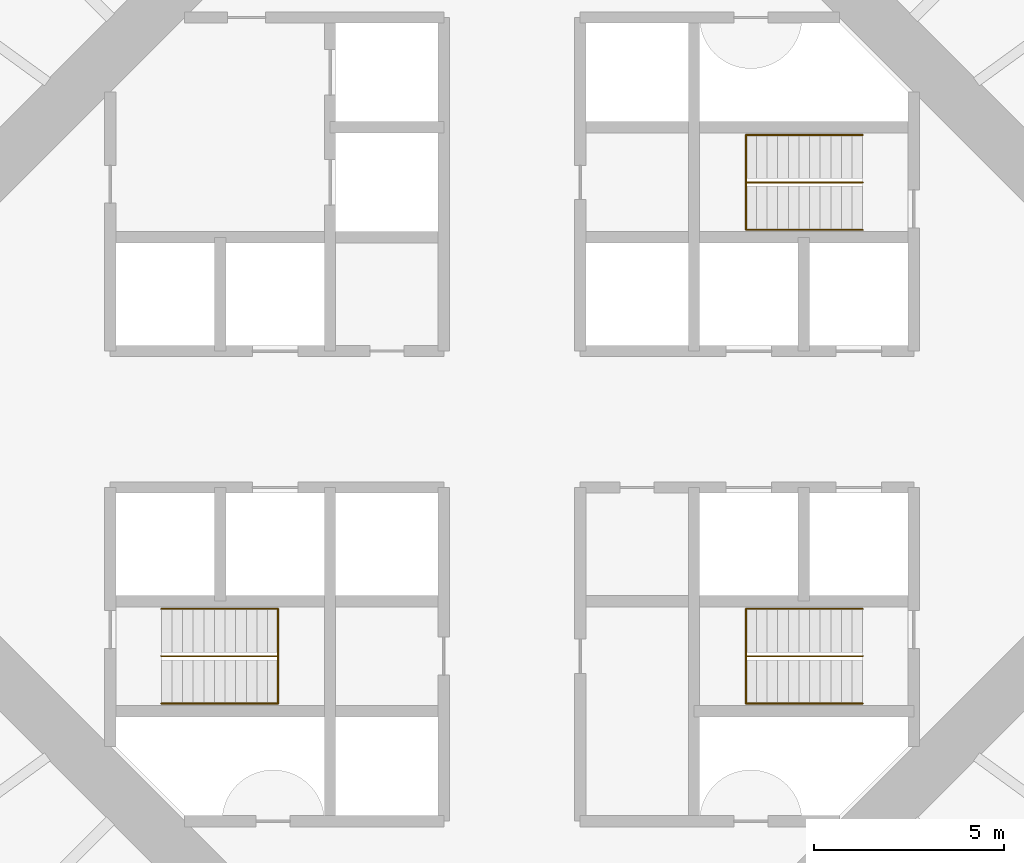
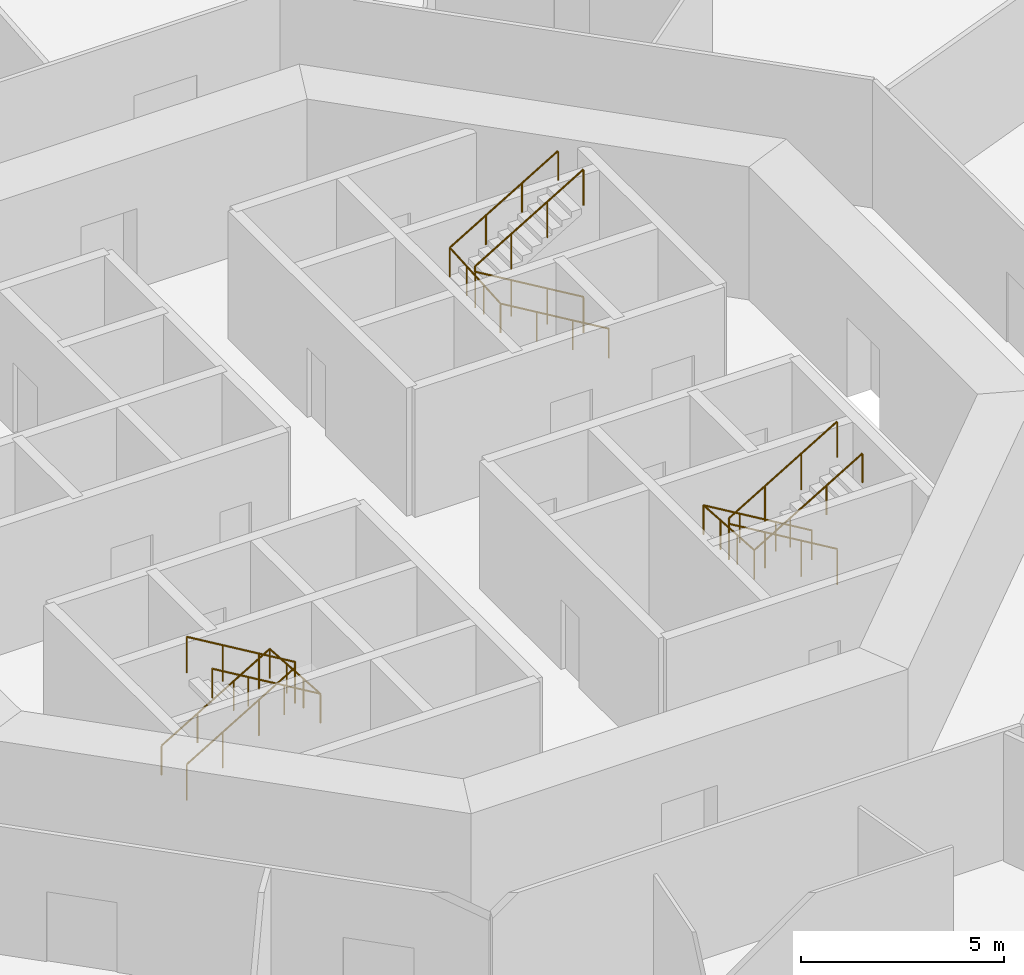
# One storey, part 13 of 13: 6 railings.
"""IFC4 building model written with IfcOpenShell, lengths in metres."""

from ifc_helpers import new_model, si_unit, direction, frame, origin, origin_2d, place, context, subcontext, project, spatial, circle, extrude, material, type_object, element, save


model = new_model("IFC4")

# Units and contexts
model_context = context("Model", 3, precision=1e-05, world=origin(), true_north=direction((0.0, 1.0)))
body_context = subcontext(model_context, "Body", "Model", "MODEL_VIEW")
ifc_project = project(units=[si_unit("LENGTHUNIT", "METRE"), si_unit("AREAUNIT", "SQUARE_METRE"), si_unit("VOLUMEUNIT", "CUBIC_METRE"), si_unit("PLANEANGLEUNIT", "RADIAN"), si_unit("MASSUNIT", "GRAM", prefix="KILO")], contexts=[model_context])

# Site, building, storey
site_placement = place(None, origin())
site = spatial("IfcSite", under=ifc_project, at=site_placement, CompositionType="ELEMENT")
building_placement = place(site_placement, origin())
building = spatial("IfcBuilding", under=site, at=building_placement, Name="Entoto Ring Tower", CompositionType="ELEMENT")
storey_placement = place(building_placement, frame((0.0, 0.0, 62.0)))
storey = spatial("IfcBuildingStorey", under=building, at=storey_placement, Name="L13", CompositionType="ELEMENT", Elevation=62.0)

# Railings
ifc_material_1 = material(Name="Steel S275", Category="steel")
railing_type_1 = type_object("IfcRailingType", Name="Stair guard 1100 mm steel", PredefinedType="GUARDRAIL", material=ifc_material_1)
railing_1_placement = place(storey_placement, frame((99.25, 86.25, 0.166748046875)))
element("IfcRailing", 1, at=railing_1_placement, inside=storey, type_object=railing_type_1, Name="Guard ST1", PredefinedType="GUARDRAIL", context=body_context, shape_type="SweptSolid", body=[
    extrude(circle(Radius=0.02392578125, at=origin_2d()), frame((0.0, 0.0, 1.076171875), z_axis=(-0.859308565015, 0.0, 0.511457515432), x_axis=(0.0, -1.0, 0.0)), (0.0, 0.0, 1.0), 3.58447265625),
    extrude(circle(Radius=0.02392578125, at=origin_2d()), frame((-3.080078125, 0.0, 2.9091796875), z_axis=(0.0, 0.0, 1.0), x_axis=(1.0, 0.0, 0.0)), (0.0, 0.0, 1.0), 0.166748046875),
    extrude(circle(Radius=0.02392578125, at=origin_2d()), frame((-3.080078125, 0.0, 3.076171875), z_axis=(0.859308565015, 0.0, 0.511457515432), x_axis=(0.0, 1.0, 0.0)), (0.0, 0.0, 1.0), 3.58447265625),
    extrude(circle(Radius=0.02099609375, at=origin_2d()), origin(), (0.0, 0.0, 1.0), 1.052001953125),
    extrude(circle(Radius=0.02099609375, at=origin_2d()), frame((-1.026611328125, 0.0, 0.611083984375)), (0.0, 0.0, 1.0), 1.052001953125),
    extrude(circle(Radius=0.02099609375, at=origin_2d()), frame((-2.053466796875, 0.0, 1.22216796875)), (0.0, 0.0, 1.0), 1.052001953125),
    extrude(circle(Radius=0.02099609375, at=origin_2d()), frame((-3.080078125, 0.0, 1.833251953125)), (0.0, 0.0, 1.0), 1.052001953125),
    extrude(circle(Radius=0.02099609375, at=origin_2d()), frame((-3.080078125, 0.0, 2.0)), (0.0, 0.0, 1.0), 1.052001953125),
    extrude(circle(Radius=0.02099609375, at=origin_2d()), frame((-2.053466796875, 0.0, 2.611083984375)), (0.0, 0.0, 1.0), 1.052001953125),
    extrude(circle(Radius=0.02099609375, at=origin_2d()), frame((-1.026611328125, 0.0, 3.22216796875)), (0.0, 0.0, 1.0), 1.052001953125),
    extrude(circle(Radius=0.02099609375, at=origin_2d()), frame((0.0, 0.0, 3.833251953125)), (0.0, 0.0, 1.0), 1.052001953125),
])
railing_2_placement = place(storey_placement, frame((80.75, 73.75, 0.166748046875)))
element("IfcRailing", 2, at=railing_2_placement, inside=storey, type_object=railing_type_1, Name="Guard ST2", PredefinedType="GUARDRAIL", context=body_context, shape_type="SweptSolid", body=[
    extrude(circle(Radius=0.02392578125, at=origin_2d()), frame((0.0, 0.0, 1.076171875), z_axis=(0.859308565015, 0.0, 0.511457515432), x_axis=(0.0, 1.0, 0.0)), (0.0, 0.0, 1.0), 3.58447265625),
    extrude(circle(Radius=0.02392578125, at=origin_2d()), frame((3.080078125, 0.0, 2.9091796875), z_axis=(0.0, 0.0, 1.0), x_axis=(1.0, 0.0, 0.0)), (0.0, 0.0, 1.0), 0.166748046875),
    extrude(circle(Radius=0.02392578125, at=origin_2d()), frame((3.080078125, 0.0, 3.076171875), z_axis=(-0.859308565015, 0.0, 0.511457515432), x_axis=(0.0, -1.0, 0.0)), (0.0, 0.0, 1.0), 3.58447265625),
    extrude(circle(Radius=0.02099609375, at=origin_2d()), origin(), (0.0, 0.0, 1.0), 1.052001953125),
    extrude(circle(Radius=0.02099609375, at=origin_2d()), frame((1.026611328125, 0.0, 0.611083984375)), (0.0, 0.0, 1.0), 1.052001953125),
    extrude(circle(Radius=0.02099609375, at=origin_2d()), frame((2.053466796875, 0.0, 1.22216796875)), (0.0, 0.0, 1.0), 1.052001953125),
    extrude(circle(Radius=0.02099609375, at=origin_2d()), frame((3.080078125, 0.0, 1.833251953125)), (0.0, 0.0, 1.0), 1.052001953125),
    extrude(circle(Radius=0.02099609375, at=origin_2d()), frame((3.080078125, 0.0, 2.0)), (0.0, 0.0, 1.0), 1.052001953125),
    extrude(circle(Radius=0.02099609375, at=origin_2d()), frame((2.053466796875, 0.0, 2.611083984375)), (0.0, 0.0, 1.0), 1.052001953125),
    extrude(circle(Radius=0.02099609375, at=origin_2d()), frame((1.026611328125, 0.0, 3.22216796875)), (0.0, 0.0, 1.0), 1.052001953125),
    extrude(circle(Radius=0.02099609375, at=origin_2d()), frame((0.0, 0.0, 3.833251953125)), (0.0, 0.0, 1.0), 1.052001953125),
])
railing_3_placement = place(storey_placement, frame((99.25, 73.75, 0.166748046875)))
element("IfcRailing", 3, at=railing_3_placement, inside=storey, type_object=railing_type_1, Name="Guard ST3", PredefinedType="GUARDRAIL", context=body_context, shape_type="SweptSolid", body=[
    extrude(circle(Radius=0.02392578125, at=origin_2d()), frame((0.0, 0.0, 1.076171875), z_axis=(-0.859308565015, 0.0, 0.511457515432), x_axis=(0.0, -1.0, 0.0)), (0.0, 0.0, 1.0), 3.58447265625),
    extrude(circle(Radius=0.02392578125, at=origin_2d()), frame((-3.080078125, 0.0, 2.9091796875), z_axis=(0.0, 0.0, 1.0), x_axis=(1.0, 0.0, 0.0)), (0.0, 0.0, 1.0), 0.166748046875),
    extrude(circle(Radius=0.02392578125, at=origin_2d()), frame((-3.080078125, 0.0, 3.076171875), z_axis=(0.859308565015, 0.0, 0.511457515432), x_axis=(0.0, 1.0, 0.0)), (0.0, 0.0, 1.0), 3.58447265625),
    extrude(circle(Radius=0.02099609375, at=origin_2d()), origin(), (0.0, 0.0, 1.0), 1.052001953125),
    extrude(circle(Radius=0.02099609375, at=origin_2d()), frame((-1.026611328125, 0.0, 0.611083984375)), (0.0, 0.0, 1.0), 1.052001953125),
    extrude(circle(Radius=0.02099609375, at=origin_2d()), frame((-2.053466796875, 0.0, 1.22216796875)), (0.0, 0.0, 1.0), 1.052001953125),
    extrude(circle(Radius=0.02099609375, at=origin_2d()), frame((-3.080078125, 0.0, 1.833251953125)), (0.0, 0.0, 1.0), 1.052001953125),
    extrude(circle(Radius=0.02099609375, at=origin_2d()), frame((-3.080078125, 0.0, 2.0)), (0.0, 0.0, 1.0), 1.052001953125),
    extrude(circle(Radius=0.02099609375, at=origin_2d()), frame((-2.053466796875, 0.0, 2.611083984375)), (0.0, 0.0, 1.0), 1.052001953125),
    extrude(circle(Radius=0.02099609375, at=origin_2d()), frame((-1.026611328125, 0.0, 3.22216796875)), (0.0, 0.0, 1.0), 1.052001953125),
    extrude(circle(Radius=0.02099609375, at=origin_2d()), frame((0.0, 0.0, 3.833251953125)), (0.0, 0.0, 1.0), 1.052001953125),
])
ifc_material_2 = material(Name="Steel S275", Category="steel")
railing_type_2 = type_object("IfcRailingType", Name="Stair handrail 900 mm steel", PredefinedType="HANDRAIL", material=ifc_material_2)
railing_4_placement = place(storey_placement, frame((99.25, 85.0, 0.166748046875)))
element("IfcRailing", 4, at=railing_4_placement, inside=storey, type_object=railing_type_2, Name="Handrail ST1", PredefinedType="HANDRAIL", context=body_context, shape_type="SweptSolid", body=[
    extrude(circle(Radius=0.02392578125, at=origin_2d()), frame((0.0, 0.0, 0.8759765625), z_axis=(-0.859308565015, 0.0, 0.511457515432), x_axis=(0.0, -1.0, 0.0)), (0.0, 0.0, 1.0), 3.58447265625),
    extrude(circle(Radius=0.02392578125, at=origin_2d()), frame((-3.080078125, 0.0, 2.708984375), z_axis=(0.0, 0.997783001586, 0.066551346688), x_axis=(-1.0, 0.0, 0.0)), (0.0, 0.0, 1.0), 2.505615234375),
    extrude(circle(Radius=0.02392578125, at=origin_2d()), frame((-3.080078125, 2.5, 2.8759765625), z_axis=(0.859308565015, 0.0, 0.511457515432), x_axis=(0.0, 1.0, 0.0)), (0.0, 0.0, 1.0), 3.58447265625),
    extrude(circle(Radius=0.02099609375, at=origin_2d()), origin(), (0.0, 0.0, 1.0), 0.851806640625),
    extrude(circle(Radius=0.02099609375, at=origin_2d()), frame((-1.026611328125, 0.0, 0.611083984375)), (0.0, 0.0, 1.0), 0.851806640625),
    extrude(circle(Radius=0.02099609375, at=origin_2d()), frame((-2.053466796875, 0.0, 1.22216796875)), (0.0, 0.0, 1.0), 0.851806640625),
    extrude(circle(Radius=0.02099609375, at=origin_2d()), frame((-3.080078125, 0.0, 1.833251953125)), (0.0, 0.0, 1.0), 0.851806640625),
    extrude(circle(Radius=0.02099609375, at=origin_2d()), frame((-3.080078125, 0.833251953125, 1.888916015625)), (0.0, 0.0, 1.0), 0.851806640625),
    extrude(circle(Radius=0.02099609375, at=origin_2d()), frame((-3.080078125, 1.666748046875, 1.9443359375)), (0.0, 0.0, 1.0), 0.851806640625),
    extrude(circle(Radius=0.02099609375, at=origin_2d()), frame((-3.080078125, 2.5, 2.0)), (0.0, 0.0, 1.0), 0.851806640625),
    extrude(circle(Radius=0.02099609375, at=origin_2d()), frame((-2.053466796875, 2.5, 2.611083984375)), (0.0, 0.0, 1.0), 0.851806640625),
    extrude(circle(Radius=0.02099609375, at=origin_2d()), frame((-1.026611328125, 2.5, 3.22216796875)), (0.0, 0.0, 1.0), 0.851806640625),
    extrude(circle(Radius=0.02099609375, at=origin_2d()), frame((0.0, 2.5, 3.833251953125)), (0.0, 0.0, 1.0), 0.851806640625),
])
railing_5_placement = place(storey_placement, frame((80.75, 75.0, 0.166748046875)))
element("IfcRailing", 5, at=railing_5_placement, inside=storey, type_object=railing_type_2, Name="Handrail ST2", PredefinedType="HANDRAIL", context=body_context, shape_type="SweptSolid", body=[
    extrude(circle(Radius=0.02392578125, at=origin_2d()), frame((0.0, 0.0, 0.8759765625), z_axis=(0.859308565015, 0.0, 0.511457515432), x_axis=(0.0, 1.0, 0.0)), (0.0, 0.0, 1.0), 3.58447265625),
    extrude(circle(Radius=0.02392578125, at=origin_2d()), frame((3.080078125, 0.0, 2.708984375), z_axis=(0.0, -0.997783001586, 0.066551346688), x_axis=(1.0, 0.0, 0.0)), (0.0, 0.0, 1.0), 2.505615234375),
    extrude(circle(Radius=0.02392578125, at=origin_2d()), frame((3.080078125, -2.5, 2.8759765625), z_axis=(-0.859308565015, 0.0, 0.511457515432), x_axis=(0.0, -1.0, 0.0)), (0.0, 0.0, 1.0), 3.58447265625),
    extrude(circle(Radius=0.02099609375, at=origin_2d()), origin(), (0.0, 0.0, 1.0), 0.851806640625),
    extrude(circle(Radius=0.02099609375, at=origin_2d()), frame((1.026611328125, 0.0, 0.611083984375)), (0.0, 0.0, 1.0), 0.851806640625),
    extrude(circle(Radius=0.02099609375, at=origin_2d()), frame((2.053466796875, 0.0, 1.22216796875)), (0.0, 0.0, 1.0), 0.851806640625),
    extrude(circle(Radius=0.02099609375, at=origin_2d()), frame((3.080078125, 0.0, 1.833251953125)), (0.0, 0.0, 1.0), 0.851806640625),
    extrude(circle(Radius=0.02099609375, at=origin_2d()), frame((3.080078125, -0.833251953125, 1.888916015625)), (0.0, 0.0, 1.0), 0.851806640625),
    extrude(circle(Radius=0.02099609375, at=origin_2d()), frame((3.080078125, -1.666748046875, 1.9443359375)), (0.0, 0.0, 1.0), 0.851806640625),
    extrude(circle(Radius=0.02099609375, at=origin_2d()), frame((3.080078125, -2.5, 2.0)), (0.0, 0.0, 1.0), 0.851806640625),
    extrude(circle(Radius=0.02099609375, at=origin_2d()), frame((2.053466796875, -2.5, 2.611083984375)), (0.0, 0.0, 1.0), 0.851806640625),
    extrude(circle(Radius=0.02099609375, at=origin_2d()), frame((1.026611328125, -2.5, 3.22216796875)), (0.0, 0.0, 1.0), 0.851806640625),
    extrude(circle(Radius=0.02099609375, at=origin_2d()), frame((0.0, -2.5, 3.833251953125)), (0.0, 0.0, 1.0), 0.851806640625),
])
railing_6_placement = place(storey_placement, frame((99.25, 75.0, 0.166748046875)))
element("IfcRailing", 6, at=railing_6_placement, inside=storey, type_object=railing_type_2, Name="Handrail ST3", PredefinedType="HANDRAIL", context=body_context, shape_type="SweptSolid", body=[
    extrude(circle(Radius=0.02392578125, at=origin_2d()), frame((0.0, 0.0, 0.8759765625), z_axis=(-0.859308565015, 0.0, 0.511457515432), x_axis=(0.0, -1.0, 0.0)), (0.0, 0.0, 1.0), 3.58447265625),
    extrude(circle(Radius=0.02392578125, at=origin_2d()), frame((-3.080078125, 0.0, 2.708984375), z_axis=(0.0, -0.997783001586, 0.066551346688), x_axis=(1.0, 0.0, 0.0)), (0.0, 0.0, 1.0), 2.505615234375),
    extrude(circle(Radius=0.02392578125, at=origin_2d()), frame((-3.080078125, -2.5, 2.8759765625), z_axis=(0.859308565015, 0.0, 0.511457515432), x_axis=(0.0, 1.0, 0.0)), (0.0, 0.0, 1.0), 3.58447265625),
    extrude(circle(Radius=0.02099609375, at=origin_2d()), origin(), (0.0, 0.0, 1.0), 0.851806640625),
    extrude(circle(Radius=0.02099609375, at=origin_2d()), frame((-1.026611328125, 0.0, 0.611083984375)), (0.0, 0.0, 1.0), 0.851806640625),
    extrude(circle(Radius=0.02099609375, at=origin_2d()), frame((-2.053466796875, 0.0, 1.22216796875)), (0.0, 0.0, 1.0), 0.851806640625),
    extrude(circle(Radius=0.02099609375, at=origin_2d()), frame((-3.080078125, 0.0, 1.833251953125)), (0.0, 0.0, 1.0), 0.851806640625),
    extrude(circle(Radius=0.02099609375, at=origin_2d()), frame((-3.080078125, -0.833251953125, 1.888916015625)), (0.0, 0.0, 1.0), 0.851806640625),
    extrude(circle(Radius=0.02099609375, at=origin_2d()), frame((-3.080078125, -1.666748046875, 1.9443359375)), (0.0, 0.0, 1.0), 0.851806640625),
    extrude(circle(Radius=0.02099609375, at=origin_2d()), frame((-3.080078125, -2.5, 2.0)), (0.0, 0.0, 1.0), 0.851806640625),
    extrude(circle(Radius=0.02099609375, at=origin_2d()), frame((-2.053466796875, -2.5, 2.611083984375)), (0.0, 0.0, 1.0), 0.851806640625),
    extrude(circle(Radius=0.02099609375, at=origin_2d()), frame((-1.026611328125, -2.5, 3.22216796875)), (0.0, 0.0, 1.0), 0.851806640625),
    extrude(circle(Radius=0.02099609375, at=origin_2d()), frame((0.0, -2.5, 3.833251953125)), (0.0, 0.0, 1.0), 0.851806640625),
])

save(model, "model.ifc")
